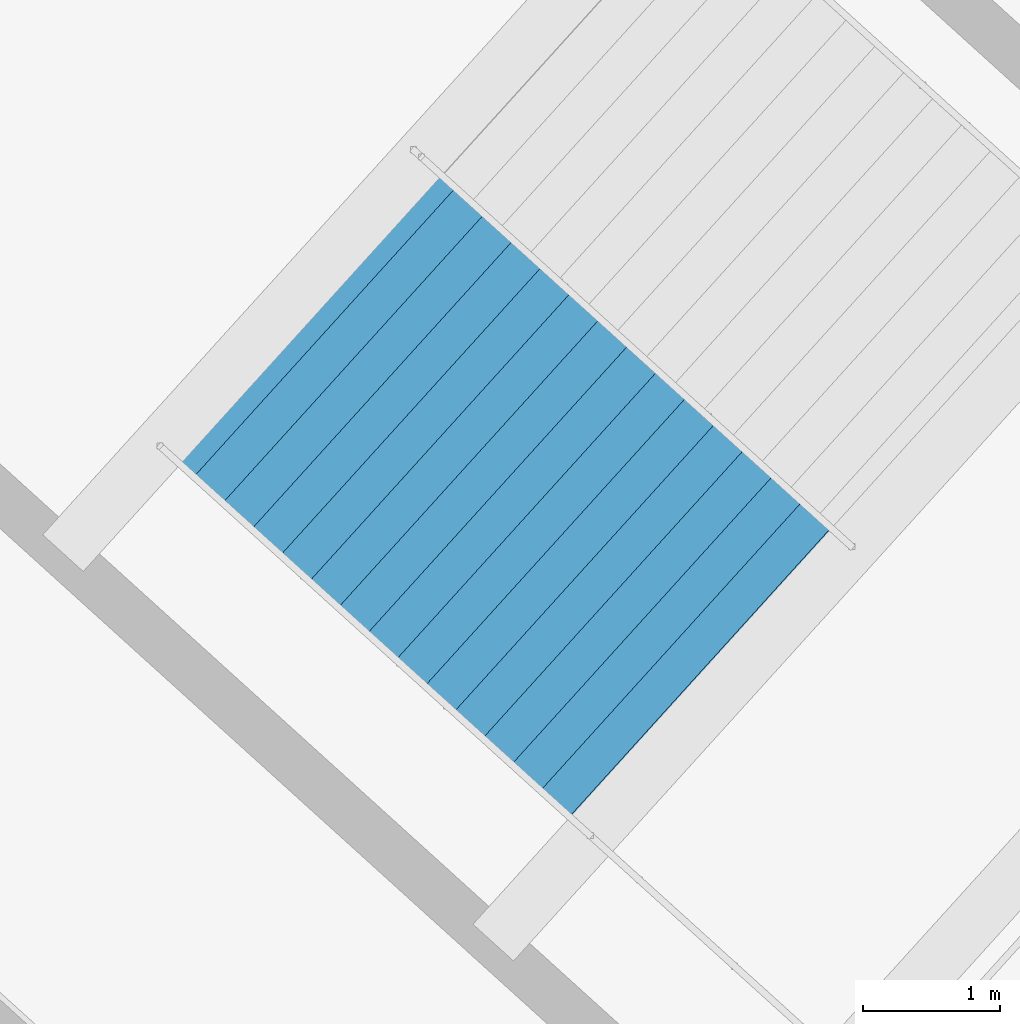
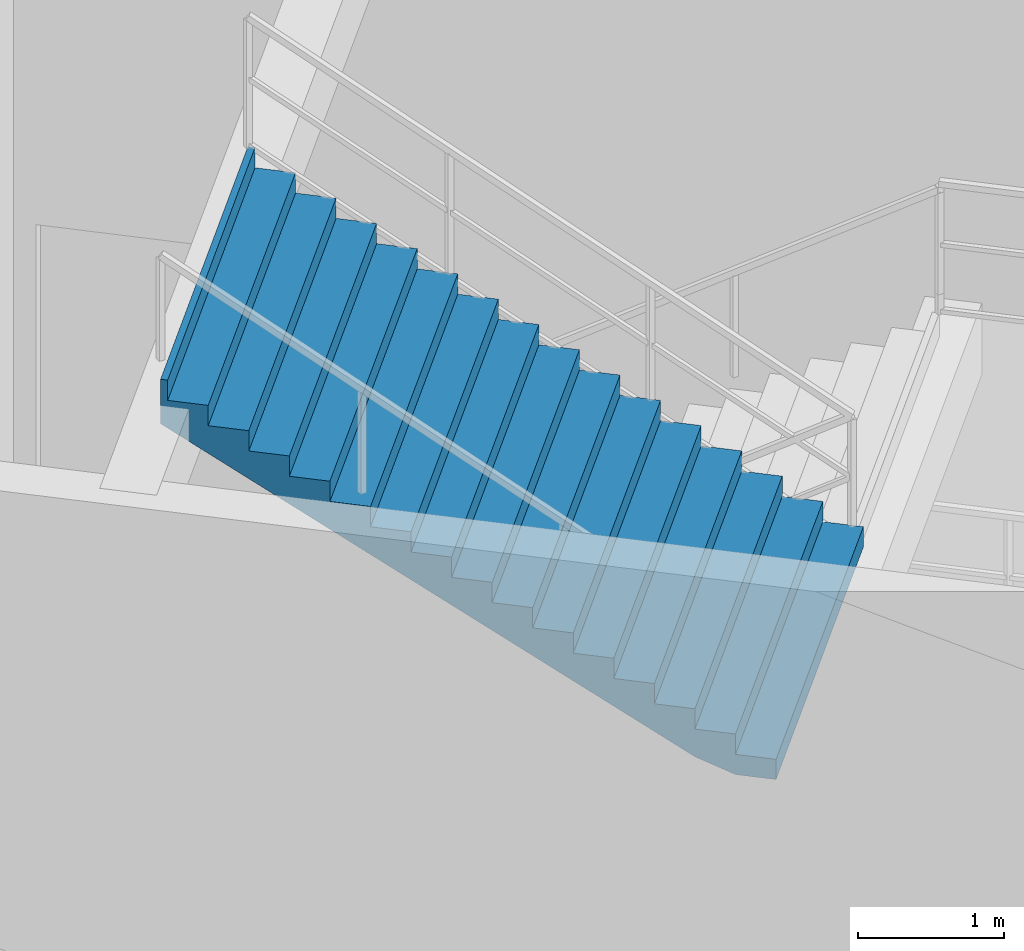
# One storey, part 152 of 162: 1 stair flight, 1 element without a shape of its own.
"""IFC4 building model written with IfcOpenShell, lengths in metres."""

from ifc_helpers import new_model, si_unit, direction, frame, origin, place, context, subcontext, project, spatial, polygons, material, type_object, element, aggregate, save


model = new_model("IFC4")

# Units and contexts
model_context = context("Model", 3, precision=1e-05, world=origin(), true_north=direction((0.0, 1.0)))
body_context = subcontext(model_context, "Body", "Model", "MODEL_VIEW")
ifc_project = project(units=[si_unit("LENGTHUNIT", "METRE"), si_unit("AREAUNIT", "SQUARE_METRE"), si_unit("VOLUMEUNIT", "CUBIC_METRE"), si_unit("PLANEANGLEUNIT", "RADIAN"), si_unit("MASSUNIT", "GRAM", prefix="KILO")], contexts=[model_context])

# Site, building, storey
site_placement = place(None, origin())
site = spatial("IfcSite", under=ifc_project, at=site_placement, CompositionType="ELEMENT")
building_placement = place(site_placement, origin())
building = spatial("IfcBuilding", under=site, at=building_placement, Name="Kazemori Nagisa Stadium", CompositionType="ELEMENT")
storey_placement = place(building_placement, frame((0.0, 0.0, 36.719970703125)))
storey = spatial("IfcBuildingStorey", under=building, at=storey_placement, Name="RF", CompositionType="ELEMENT", Elevation=36.719970703125)

# Stair, stair flight
ifc_material = material(Name="Concrete C36/45 (Fc36)", Category="concrete")
stair_type = type_object("IfcStairType", Name="Stair_CORE_32", PredefinedType="TWO_STRAIGHT_RUN_STAIR", material=ifc_material)
stair_placement = place(storey_placement, origin())
stair = element("IfcStair", 1, at=stair_placement, inside=storey, type_object=stair_type, Name="Exit stair ST03 RF", PredefinedType="TWO_STRAIGHT_RUN_STAIR")
stair_flight_type = type_object("IfcStairFlightType", Name="Flight_CORE_16", PredefinedType="STRAIGHT", material=ifc_material)
stair_flight_placement = place(storey_placement, frame((55.4609375, 42.593994140625, 2.719970703125), z_axis=(0.0, 0.0, 1.0), x_axis=(-0.741357156534, 0.671110696127, 0.0)))
stair_flight = element("IfcStairFlight", 2, at=stair_flight_placement, type_object=stair_flight_type, Name="Exit stair ST03 RF flight 2", NumberOfRisers=16, NumberOfTreads=15, PredefinedType="STRAIGHT", RiserHeight=0.17, TreadLength=0.285, context=body_context, shape_type="Tessellation", body=[
    polygons([(0.0, -1.425048828125, 0.0), (0.0, -1.425048828125, 0.169921875), (0.284912109375, -1.425048828125, 0.169921875), (0.284912109375, -1.425048828125, 0.340087890625), (0.570068359375, -1.425048828125, 0.340087890625), (0.570068359375, -1.425048828125, 0.510009765625), (0.85498046875, -1.425048828125, 0.510009765625), (0.85498046875, -1.425048828125, 0.679931640625), (1.139892578125, -1.425048828125, 0.679931640625), (1.139892578125, -1.425048828125, 0.85009765625), (1.425048828125, -1.425048828125, 0.85009765625), (1.425048828125, -1.425048828125, 1.02001953125), (1.7099609375, -1.425048828125, 1.02001953125), (1.7099609375, -1.425048828125, 1.18994140625), (1.9951171875, -1.425048828125, 1.18994140625), (1.9951171875, -1.425048828125, 1.360107421875), (2.280029296875, -1.425048828125, 1.360107421875), (2.280029296875, -1.425048828125, 1.530029296875), (2.56494140625, -1.425048828125, 1.530029296875), (2.56494140625, -1.425048828125, 1.699951171875), (2.85009765625, -1.425048828125, 1.699951171875), (2.85009765625, -1.425048828125, 1.8701171875), (3.135009765625, -1.425048828125, 1.8701171875), (3.135009765625, -1.425048828125, 2.0400390625), (3.419921875, -1.425048828125, 2.0400390625), (3.419921875, -1.425048828125, 2.2099609375), (3.705078125, -1.425048828125, 2.2099609375), (3.705078125, -1.425048828125, 2.3798828125), (3.989990234375, -1.425048828125, 2.3798828125), (3.989990234375, -1.425048828125, 2.550048828125), (4.27490234375, -1.425048828125, 2.550048828125), (4.27490234375, -1.425048828125, 2.719970703125), (4.324951171875, -1.425048828125, 2.719970703125), (4.324951171875, -1.425048828125, 2.346923828125), (4.27490234375, -1.425048828125, 2.317138671875), (3.989990234375, -1.425048828125, 2.147216796875), (3.705078125, -1.425048828125, 1.977294921875), (3.419921875, -1.425048828125, 1.80712890625), (3.135009765625, -1.425048828125, 1.63720703125), (2.85009765625, -1.425048828125, 1.46728515625), (2.56494140625, -1.425048828125, 1.297119140625), (2.280029296875, -1.425048828125, 1.127197265625), (1.9951171875, -1.425048828125, 0.957275390625), (1.7099609375, -1.425048828125, 0.787109375), (1.425048828125, -1.425048828125, 0.6171875), (1.139892578125, -1.425048828125, 0.447265625), (0.85498046875, -1.425048828125, 0.277099609375), (0.570068359375, -1.425048828125, 0.107177734375), (0.284912109375, -1.425048828125, 0.0), (0.0, -0.08544921875, 0.0), (0.0, -0.08544921875, 0.169921875), (0.284912109375, -0.08544921875, 0.169921875), (0.284912109375, -0.08544921875, 0.340087890625), (0.570068359375, -0.08544921875, 0.340087890625), (0.570068359375, -0.08544921875, 0.510009765625), (0.85498046875, -0.08544921875, 0.510009765625), (0.85498046875, -0.08544921875, 0.679931640625), (1.139892578125, -0.08544921875, 0.679931640625), (1.139892578125, -0.08544921875, 0.85009765625), (1.425048828125, -0.08544921875, 0.85009765625), (1.425048828125, -0.08544921875, 1.02001953125), (1.7099609375, -0.08544921875, 1.02001953125), (1.7099609375, -0.08544921875, 1.18994140625), (1.9951171875, -0.08544921875, 1.18994140625), (1.9951171875, -0.08544921875, 1.360107421875), (2.280029296875, -0.08544921875, 1.360107421875), (2.280029296875, -0.08544921875, 1.530029296875), (2.56494140625, -0.08544921875, 1.530029296875), (2.56494140625, -0.08544921875, 1.699951171875), (2.85009765625, -0.08544921875, 1.699951171875), (2.85009765625, -0.08544921875, 1.8701171875), (3.135009765625, -0.08544921875, 1.8701171875), (3.135009765625, -0.08544921875, 2.0400390625), (3.419921875, -0.08544921875, 2.0400390625), (3.419921875, -0.08544921875, 2.2099609375), (3.705078125, -0.08544921875, 2.2099609375), (3.705078125, -0.08544921875, 2.3798828125), (3.989990234375, -0.08544921875, 2.3798828125), (3.989990234375, -0.08544921875, 2.550048828125), (4.27490234375, -0.08544921875, 2.550048828125), (4.27490234375, -0.08544921875, 2.719970703125), (4.324951171875, -0.08544921875, 2.719970703125), (4.324951171875, -0.08544921875, 2.346923828125), (4.27490234375, -0.08544921875, 2.317138671875), (3.989990234375, -0.08544921875, 2.147216796875), (3.705078125, -0.08544921875, 1.977294921875), (3.419921875, -0.08544921875, 1.80712890625), (3.135009765625, -0.08544921875, 1.63720703125), (2.85009765625, -0.08544921875, 1.46728515625), (2.56494140625, -0.08544921875, 1.297119140625), (2.280029296875, -0.08544921875, 1.127197265625), (1.9951171875, -0.08544921875, 0.957275390625), (1.7099609375, -0.08544921875, 0.787109375), (1.425048828125, -0.08544921875, 0.6171875), (1.139892578125, -0.08544921875, 0.447265625), (0.85498046875, -0.08544921875, 0.277099609375), (0.570068359375, -0.08544921875, 0.107177734375), (0.284912109375, -0.08544921875, 0.0), (0.0, 0.0, 0.0), (0.0, 0.0, 0.169921875), (0.284912109375, 0.0, 0.169921875), (0.284912109375, 0.0, 0.340087890625), (0.570068359375, 0.0, 0.340087890625), (0.570068359375, 0.0, 0.510009765625), (0.85498046875, 0.0, 0.510009765625), (0.85498046875, 0.0, 0.679931640625), (1.139892578125, 0.0, 0.679931640625), (1.139892578125, 0.0, 0.85009765625), (1.425048828125, 0.0, 0.85009765625), (1.425048828125, 0.0, 1.02001953125), (1.7099609375, 0.0, 1.02001953125), (1.7099609375, 0.0, 1.18994140625), (1.9951171875, 0.0, 1.18994140625), (1.9951171875, 0.0, 1.360107421875), (2.280029296875, 0.0, 1.360107421875), (2.280029296875, 0.0, 1.530029296875), (2.56494140625, 0.0, 1.530029296875), (2.56494140625, 0.0, 1.699951171875), (2.85009765625, 0.0, 1.699951171875), (2.85009765625, 0.0, 1.8701171875), (3.135009765625, 0.0, 1.8701171875), (3.135009765625, 0.0, 2.0400390625), (3.419921875, 0.0, 2.0400390625), (3.419921875, 0.0, 2.2099609375), (3.705078125, 0.0, 2.2099609375), (3.705078125, 0.0, 2.3798828125), (3.989990234375, 0.0, 2.3798828125), (3.989990234375, 0.0, 2.550048828125), (4.27490234375, 0.0, 2.550048828125), (4.27490234375, 0.0, 2.719970703125), (4.324951171875, 0.0, 2.719970703125), (4.324951171875, 0.0, 2.346923828125), (4.27490234375, 0.0, 2.317138671875), (3.989990234375, 0.0, 2.147216796875), (3.705078125, 0.0, 1.977294921875), (3.419921875, 0.0, 1.80712890625), (3.135009765625, 0.0, 1.63720703125), (2.85009765625, 0.0, 1.46728515625), (2.56494140625, 0.0, 1.297119140625), (2.280029296875, 0.0, 1.127197265625), (1.9951171875, 0.0, 0.957275390625), (1.7099609375, 0.0, 0.787109375), (1.425048828125, 0.0, 0.6171875), (1.139892578125, 0.0, 0.447265625), (0.85498046875, 0.0, 0.277099609375), (0.570068359375, 0.0, 0.107177734375), (0.284912109375, 0.0, 0.0), (0.0, 0.08544921875, 0.0), (0.0, 0.08544921875, 0.169921875), (0.284912109375, 0.08544921875, 0.169921875), (0.284912109375, 0.08544921875, 0.340087890625), (0.570068359375, 0.08544921875, 0.340087890625), (0.570068359375, 0.08544921875, 0.510009765625), (0.85498046875, 0.08544921875, 0.510009765625), (0.85498046875, 0.08544921875, 0.679931640625), (1.139892578125, 0.08544921875, 0.679931640625), (1.139892578125, 0.08544921875, 0.85009765625), (1.425048828125, 0.08544921875, 0.85009765625), (1.425048828125, 0.08544921875, 1.02001953125), (1.7099609375, 0.08544921875, 1.02001953125), (1.7099609375, 0.08544921875, 1.18994140625), (1.9951171875, 0.08544921875, 1.18994140625), (1.9951171875, 0.08544921875, 1.360107421875), (2.280029296875, 0.08544921875, 1.360107421875), (2.280029296875, 0.08544921875, 1.530029296875), (2.56494140625, 0.08544921875, 1.530029296875), (2.56494140625, 0.08544921875, 1.699951171875), (2.85009765625, 0.08544921875, 1.699951171875), (2.85009765625, 0.08544921875, 1.8701171875), (3.135009765625, 0.08544921875, 1.8701171875), (3.135009765625, 0.08544921875, 2.0400390625), (3.419921875, 0.08544921875, 2.0400390625), (3.419921875, 0.08544921875, 2.2099609375), (3.705078125, 0.08544921875, 2.2099609375), (3.705078125, 0.08544921875, 2.3798828125), (3.989990234375, 0.08544921875, 2.3798828125), (3.989990234375, 0.08544921875, 2.550048828125), (4.27490234375, 0.08544921875, 2.550048828125), (4.27490234375, 0.08544921875, 2.719970703125), (4.324951171875, 0.08544921875, 2.719970703125), (4.324951171875, 0.08544921875, 2.346923828125), (4.27490234375, 0.08544921875, 2.317138671875), (3.989990234375, 0.08544921875, 2.147216796875), (3.705078125, 0.08544921875, 1.977294921875), (3.419921875, 0.08544921875, 1.80712890625), (3.135009765625, 0.08544921875, 1.63720703125), (2.85009765625, 0.08544921875, 1.46728515625), (2.56494140625, 0.08544921875, 1.297119140625), (2.280029296875, 0.08544921875, 1.127197265625), (1.9951171875, 0.08544921875, 0.957275390625), (1.7099609375, 0.08544921875, 0.787109375), (1.425048828125, 0.08544921875, 0.6171875), (1.139892578125, 0.08544921875, 0.447265625), (0.85498046875, 0.08544921875, 0.277099609375), (0.570068359375, 0.08544921875, 0.107177734375), (0.284912109375, 0.08544921875, 0.0), (0.0, 1.425048828125, 0.0), (0.0, 1.425048828125, 0.169921875), (0.284912109375, 1.425048828125, 0.169921875), (0.284912109375, 1.425048828125, 0.340087890625), (0.570068359375, 1.425048828125, 0.340087890625), (0.570068359375, 1.425048828125, 0.510009765625), (0.85498046875, 1.425048828125, 0.510009765625), (0.85498046875, 1.425048828125, 0.679931640625), (1.139892578125, 1.425048828125, 0.679931640625), (1.139892578125, 1.425048828125, 0.85009765625), (1.425048828125, 1.425048828125, 0.85009765625), (1.425048828125, 1.425048828125, 1.02001953125), (1.7099609375, 1.425048828125, 1.02001953125), (1.7099609375, 1.425048828125, 1.18994140625), (1.9951171875, 1.425048828125, 1.18994140625), (1.9951171875, 1.425048828125, 1.360107421875), (2.280029296875, 1.425048828125, 1.360107421875), (2.280029296875, 1.425048828125, 1.530029296875), (2.56494140625, 1.425048828125, 1.530029296875), (2.56494140625, 1.425048828125, 1.699951171875), (2.85009765625, 1.425048828125, 1.699951171875), (2.85009765625, 1.425048828125, 1.8701171875), (3.135009765625, 1.425048828125, 1.8701171875), (3.135009765625, 1.425048828125, 2.0400390625), (3.419921875, 1.425048828125, 2.0400390625), (3.419921875, 1.425048828125, 2.2099609375), (3.705078125, 1.425048828125, 2.2099609375), (3.705078125, 1.425048828125, 2.3798828125), (3.989990234375, 1.425048828125, 2.3798828125), (3.989990234375, 1.425048828125, 2.550048828125), (4.27490234375, 1.425048828125, 2.550048828125), (4.27490234375, 1.425048828125, 2.719970703125), (4.324951171875, 1.425048828125, 2.719970703125), (4.324951171875, 1.425048828125, 2.346923828125), (4.27490234375, 1.425048828125, 2.317138671875), (3.989990234375, 1.425048828125, 2.147216796875), (3.705078125, 1.425048828125, 1.977294921875), (3.419921875, 1.425048828125, 1.80712890625), (3.135009765625, 1.425048828125, 1.63720703125), (2.85009765625, 1.425048828125, 1.46728515625), (2.56494140625, 1.425048828125, 1.297119140625), (2.280029296875, 1.425048828125, 1.127197265625), (1.9951171875, 1.425048828125, 0.957275390625), (1.7099609375, 1.425048828125, 0.787109375), (1.425048828125, 1.425048828125, 0.6171875), (1.139892578125, 1.425048828125, 0.447265625), (0.85498046875, 1.425048828125, 0.277099609375), (0.570068359375, 1.425048828125, 0.107177734375), (0.284912109375, 1.425048828125, 0.0)], [[[1, 2, 51]], [[1, 51, 50]], [[2, 3, 52]], [[2, 52, 51]], [[3, 4, 53]], [[3, 53, 52]], [[4, 5, 54]], [[4, 54, 53]], [[5, 6, 55]], [[5, 55, 54]], [[6, 7, 56]], [[6, 56, 55]], [[7, 8, 57]], [[7, 57, 56]], [[8, 9, 58]], [[8, 58, 57]], [[9, 10, 59]], [[9, 59, 58]], [[10, 11, 60]], [[10, 60, 59]], [[11, 12, 61]], [[11, 61, 60]], [[12, 13, 62]], [[12, 62, 61]], [[13, 14, 63]], [[13, 63, 62]], [[14, 15, 64]], [[14, 64, 63]], [[15, 16, 65]], [[15, 65, 64]], [[16, 17, 66]], [[16, 66, 65]], [[17, 18, 67]], [[17, 67, 66]], [[18, 19, 68]], [[18, 68, 67]], [[19, 20, 69]], [[19, 69, 68]], [[20, 21, 70]], [[20, 70, 69]], [[21, 22, 71]], [[21, 71, 70]], [[22, 23, 72]], [[22, 72, 71]], [[23, 24, 73]], [[23, 73, 72]], [[24, 25, 74]], [[24, 74, 73]], [[25, 26, 75]], [[25, 75, 74]], [[26, 27, 76]], [[26, 76, 75]], [[27, 28, 77]], [[27, 77, 76]], [[28, 29, 78]], [[28, 78, 77]], [[29, 30, 79]], [[29, 79, 78]], [[30, 31, 80]], [[30, 80, 79]], [[31, 32, 81]], [[31, 81, 80]], [[32, 33, 82]], [[32, 82, 81]], [[33, 34, 83]], [[33, 83, 82]], [[34, 35, 84]], [[34, 84, 83]], [[35, 36, 85]], [[35, 85, 84]], [[36, 37, 86]], [[36, 86, 85]], [[37, 38, 87]], [[37, 87, 86]], [[38, 39, 88]], [[38, 88, 87]], [[39, 40, 89]], [[39, 89, 88]], [[40, 41, 90]], [[40, 90, 89]], [[41, 42, 91]], [[41, 91, 90]], [[42, 43, 92]], [[42, 92, 91]], [[43, 44, 93]], [[43, 93, 92]], [[44, 45, 94]], [[44, 94, 93]], [[45, 46, 95]], [[45, 95, 94]], [[46, 47, 96]], [[46, 96, 95]], [[47, 48, 97]], [[47, 97, 96]], [[48, 49, 98]], [[48, 98, 97]], [[49, 1, 50]], [[49, 50, 98]], [[50, 51, 100]], [[50, 100, 99]], [[51, 52, 101]], [[51, 101, 100]], [[52, 53, 102]], [[52, 102, 101]], [[53, 54, 103]], [[53, 103, 102]], [[54, 55, 104]], [[54, 104, 103]], [[55, 56, 105]], [[55, 105, 104]], [[56, 57, 106]], [[56, 106, 105]], [[57, 58, 107]], [[57, 107, 106]], [[58, 59, 108]], [[58, 108, 107]], [[59, 60, 109]], [[59, 109, 108]], [[60, 61, 110]], [[60, 110, 109]], [[61, 62, 111]], [[61, 111, 110]], [[62, 63, 112]], [[62, 112, 111]], [[63, 64, 113]], [[63, 113, 112]], [[64, 65, 114]], [[64, 114, 113]], [[65, 66, 115]], [[65, 115, 114]], [[66, 67, 116]], [[66, 116, 115]], [[67, 68, 117]], [[67, 117, 116]], [[68, 69, 118]], [[68, 118, 117]], [[69, 70, 119]], [[69, 119, 118]], [[70, 71, 120]], [[70, 120, 119]], [[71, 72, 121]], [[71, 121, 120]], [[72, 73, 122]], [[72, 122, 121]], [[73, 74, 123]], [[73, 123, 122]], [[74, 75, 124]], [[74, 124, 123]], [[75, 76, 125]], [[75, 125, 124]], [[76, 77, 126]], [[76, 126, 125]], [[77, 78, 127]], [[77, 127, 126]], [[78, 79, 128]], [[78, 128, 127]], [[79, 80, 129]], [[79, 129, 128]], [[80, 81, 130]], [[80, 130, 129]], [[81, 82, 131]], [[81, 131, 130]], [[82, 83, 132]], [[82, 132, 131]], [[83, 84, 133]], [[83, 133, 132]], [[84, 85, 134]], [[84, 134, 133]], [[85, 86, 135]], [[85, 135, 134]], [[86, 87, 136]], [[86, 136, 135]], [[87, 88, 137]], [[87, 137, 136]], [[88, 89, 138]], [[88, 138, 137]], [[89, 90, 139]], [[89, 139, 138]], [[90, 91, 140]], [[90, 140, 139]], [[91, 92, 141]], [[91, 141, 140]], [[92, 93, 142]], [[92, 142, 141]], [[93, 94, 143]], [[93, 143, 142]], [[94, 95, 144]], [[94, 144, 143]], [[95, 96, 145]], [[95, 145, 144]], [[96, 97, 146]], [[96, 146, 145]], [[97, 98, 147]], [[97, 147, 146]], [[98, 50, 99]], [[98, 99, 147]], [[99, 100, 149]], [[99, 149, 148]], [[100, 101, 150]], [[100, 150, 149]], [[101, 102, 151]], [[101, 151, 150]], [[102, 103, 152]], [[102, 152, 151]], [[103, 104, 153]], [[103, 153, 152]], [[104, 105, 154]], [[104, 154, 153]], [[105, 106, 155]], [[105, 155, 154]], [[106, 107, 156]], [[106, 156, 155]], [[107, 108, 157]], [[107, 157, 156]], [[108, 109, 158]], [[108, 158, 157]], [[109, 110, 159]], [[109, 159, 158]], [[110, 111, 160]], [[110, 160, 159]], [[111, 112, 161]], [[111, 161, 160]], [[112, 113, 162]], [[112, 162, 161]], [[113, 114, 163]], [[113, 163, 162]], [[114, 115, 164]], [[114, 164, 163]], [[115, 116, 165]], [[115, 165, 164]], [[116, 117, 166]], [[116, 166, 165]], [[117, 118, 167]], [[117, 167, 166]], [[118, 119, 168]], [[118, 168, 167]], [[119, 120, 169]], [[119, 169, 168]], [[120, 121, 170]], [[120, 170, 169]], [[121, 122, 171]], [[121, 171, 170]], [[122, 123, 172]], [[122, 172, 171]], [[123, 124, 173]], [[123, 173, 172]], [[124, 125, 174]], [[124, 174, 173]], [[125, 126, 175]], [[125, 175, 174]], [[126, 127, 176]], [[126, 176, 175]], [[127, 128, 177]], [[127, 177, 176]], [[128, 129, 178]], [[128, 178, 177]], [[129, 130, 179]], [[129, 179, 178]], [[130, 131, 180]], [[130, 180, 179]], [[131, 132, 181]], [[131, 181, 180]], [[132, 133, 182]], [[132, 182, 181]], [[133, 134, 183]], [[133, 183, 182]], [[134, 135, 184]], [[134, 184, 183]], [[135, 136, 185]], [[135, 185, 184]], [[136, 137, 186]], [[136, 186, 185]], [[137, 138, 187]], [[137, 187, 186]], [[138, 139, 188]], [[138, 188, 187]], [[139, 140, 189]], [[139, 189, 188]], [[140, 141, 190]], [[140, 190, 189]], [[141, 142, 191]], [[141, 191, 190]], [[142, 143, 192]], [[142, 192, 191]], [[143, 144, 193]], [[143, 193, 192]], [[144, 145, 194]], [[144, 194, 193]], [[145, 146, 195]], [[145, 195, 194]], [[146, 147, 196]], [[146, 196, 195]], [[147, 99, 148]], [[147, 148, 196]], [[148, 149, 198]], [[148, 198, 197]], [[149, 150, 199]], [[149, 199, 198]], [[150, 151, 200]], [[150, 200, 199]], [[151, 152, 201]], [[151, 201, 200]], [[152, 153, 202]], [[152, 202, 201]], [[153, 154, 203]], [[153, 203, 202]], [[154, 155, 204]], [[154, 204, 203]], [[155, 156, 205]], [[155, 205, 204]], [[156, 157, 206]], [[156, 206, 205]], [[157, 158, 207]], [[157, 207, 206]], [[158, 159, 208]], [[158, 208, 207]], [[159, 160, 209]], [[159, 209, 208]], [[160, 161, 210]], [[160, 210, 209]], [[161, 162, 211]], [[161, 211, 210]], [[162, 163, 212]], [[162, 212, 211]], [[163, 164, 213]], [[163, 213, 212]], [[164, 165, 214]], [[164, 214, 213]], [[165, 166, 215]], [[165, 215, 214]], [[166, 167, 216]], [[166, 216, 215]], [[167, 168, 217]], [[167, 217, 216]], [[168, 169, 218]], [[168, 218, 217]], [[169, 170, 219]], [[169, 219, 218]], [[170, 171, 220]], [[170, 220, 219]], [[171, 172, 221]], [[171, 221, 220]], [[172, 173, 222]], [[172, 222, 221]], [[173, 174, 223]], [[173, 223, 222]], [[174, 175, 224]], [[174, 224, 223]], [[175, 176, 225]], [[175, 225, 224]], [[176, 177, 226]], [[176, 226, 225]], [[177, 178, 227]], [[177, 227, 226]], [[178, 179, 228]], [[178, 228, 227]], [[179, 180, 229]], [[179, 229, 228]], [[180, 181, 230]], [[180, 230, 229]], [[181, 182, 231]], [[181, 231, 230]], [[182, 183, 232]], [[182, 232, 231]], [[183, 184, 233]], [[183, 233, 232]], [[184, 185, 234]], [[184, 234, 233]], [[185, 186, 235]], [[185, 235, 234]], [[186, 187, 236]], [[186, 236, 235]], [[187, 188, 237]], [[187, 237, 236]], [[188, 189, 238]], [[188, 238, 237]], [[189, 190, 239]], [[189, 239, 238]], [[190, 191, 240]], [[190, 240, 239]], [[191, 192, 241]], [[191, 241, 240]], [[192, 193, 242]], [[192, 242, 241]], [[193, 194, 243]], [[193, 243, 242]], [[194, 195, 244]], [[194, 244, 243]], [[195, 196, 245]], [[195, 245, 244]], [[196, 148, 197]], [[196, 197, 245]], [[3, 2, 1]], [[197, 198, 199]], [[49, 3, 1]], [[197, 199, 245]], [[48, 3, 49]], [[245, 199, 244]], [[5, 3, 48]], [[244, 199, 201]], [[5, 4, 3]], [[199, 200, 201]], [[47, 5, 48]], [[244, 201, 243]], [[7, 5, 47]], [[243, 201, 203]], [[7, 6, 5]], [[201, 202, 203]], [[46, 7, 47]], [[243, 203, 242]], [[9, 7, 46]], [[242, 203, 205]], [[9, 8, 7]], [[203, 204, 205]], [[45, 9, 46]], [[242, 205, 241]], [[11, 9, 45]], [[241, 205, 207]], [[11, 10, 9]], [[205, 206, 207]], [[44, 11, 45]], [[241, 207, 240]], [[13, 11, 44]], [[240, 207, 209]], [[13, 12, 11]], [[207, 208, 209]], [[43, 13, 44]], [[240, 209, 239]], [[15, 13, 43]], [[239, 209, 211]], [[15, 14, 13]], [[209, 210, 211]], [[42, 15, 43]], [[239, 211, 238]], [[17, 15, 42]], [[238, 211, 213]], [[17, 16, 15]], [[211, 212, 213]], [[41, 17, 42]], [[238, 213, 237]], [[19, 17, 41]], [[237, 213, 215]], [[19, 18, 17]], [[213, 214, 215]], [[40, 19, 41]], [[237, 215, 236]], [[21, 19, 40]], [[236, 215, 217]], [[21, 20, 19]], [[215, 216, 217]], [[39, 21, 40]], [[236, 217, 235]], [[23, 21, 39]], [[235, 217, 219]], [[23, 22, 21]], [[217, 218, 219]], [[38, 23, 39]], [[235, 219, 234]], [[25, 23, 38]], [[234, 219, 221]], [[25, 24, 23]], [[219, 220, 221]], [[37, 25, 38]], [[234, 221, 233]], [[27, 25, 37]], [[233, 221, 223]], [[27, 26, 25]], [[221, 222, 223]], [[36, 27, 37]], [[233, 223, 232]], [[29, 27, 36]], [[232, 223, 225]], [[29, 28, 27]], [[223, 224, 225]], [[35, 29, 36]], [[232, 225, 231]], [[31, 29, 35]], [[231, 225, 227]], [[31, 30, 29]], [[225, 226, 227]], [[34, 31, 35]], [[231, 227, 230]], [[33, 31, 34]], [[230, 227, 229]], [[33, 32, 31]], [[227, 228, 229]]], closed=True),
])
aggregate(stair, [stair_flight])

save(model, "model.ifc")
